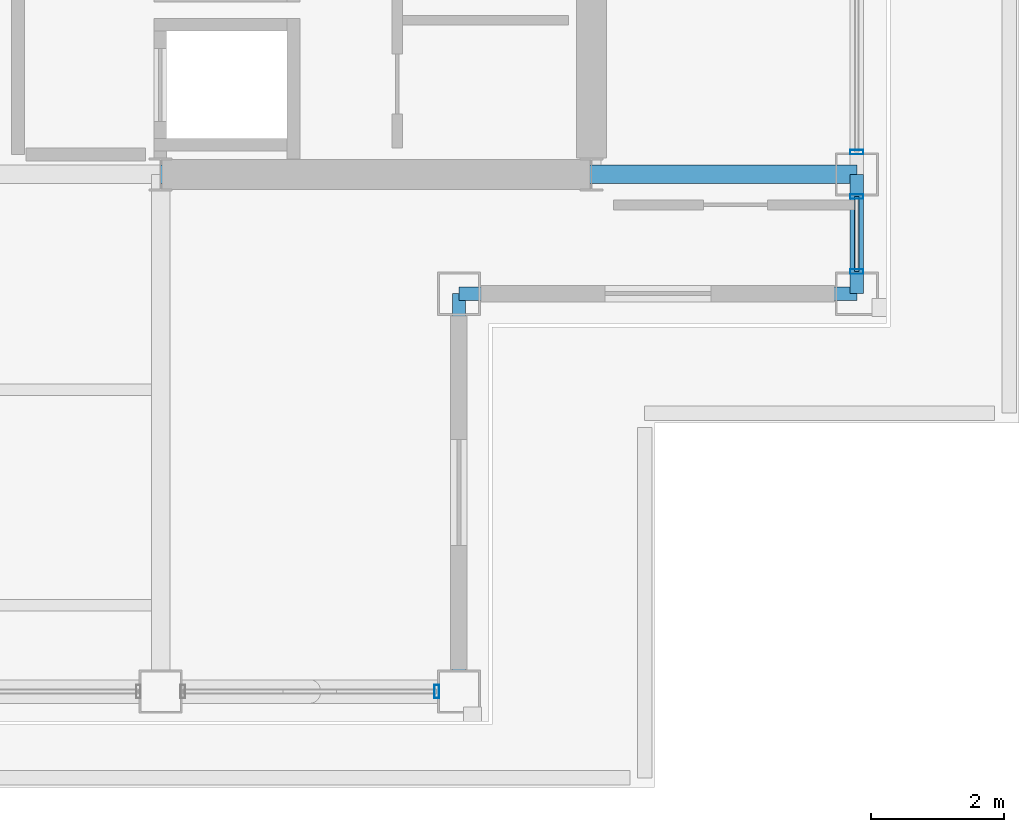
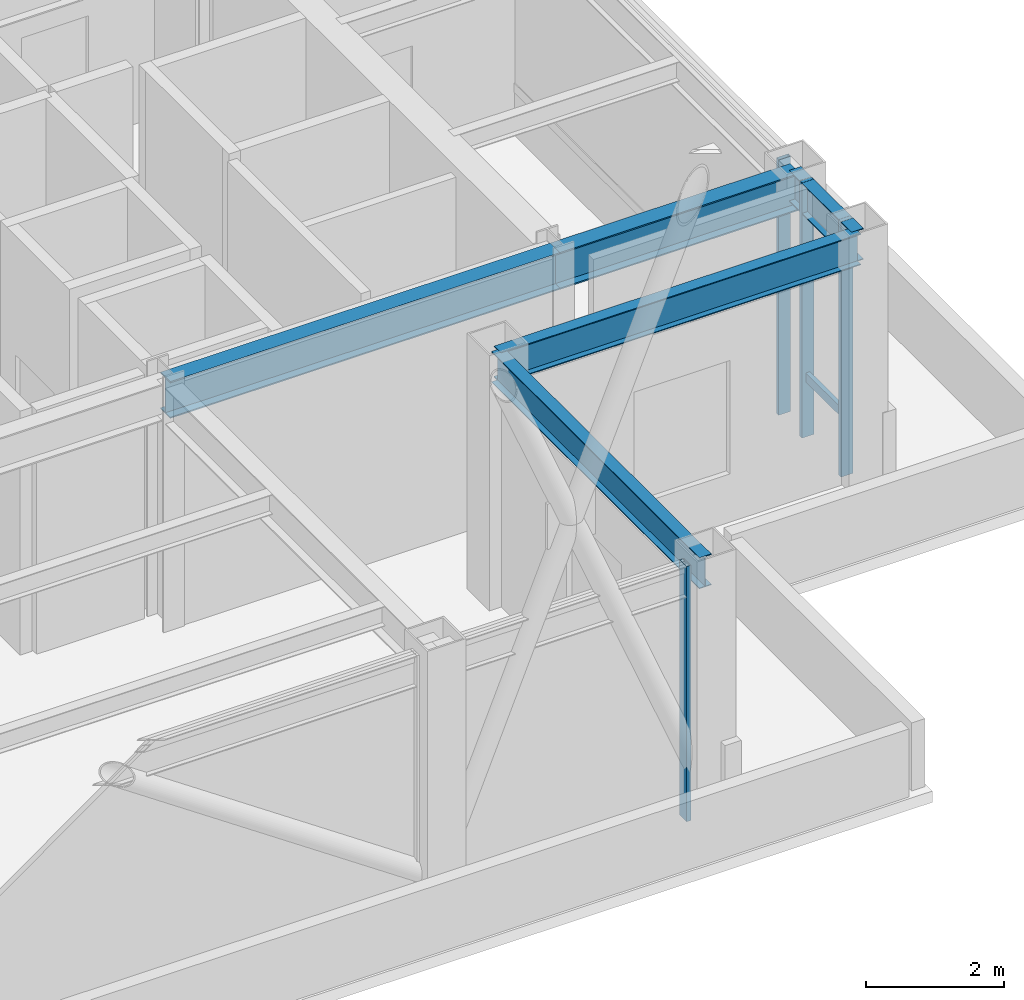
# One storey, part 8 of 19: 5 beams, 5 members, 3 elements without a shape of their own.
"""IFC4 building model written with IfcOpenShell, lengths in metres."""

from ifc_helpers import new_model, si_unit, direction, frame, origin, origin_2d, place, context, subcontext, project, spatial, hollow_rectangle, i_section, extrude, material, layer, layer_set, material_profile, profile_set, type_object, element, aggregate, save


model = new_model("IFC4")

# Units and contexts
model_context = context("Model", 3, precision=1e-05, world=origin(), true_north=direction((0.0, 1.0)))
body_context = subcontext(model_context, "Body", "Model", "MODEL_VIEW")
ifc_project = project(units=[si_unit("LENGTHUNIT", "METRE"), si_unit("AREAUNIT", "SQUARE_METRE"), si_unit("VOLUMEUNIT", "CUBIC_METRE"), si_unit("PLANEANGLEUNIT", "RADIAN"), si_unit("MASSUNIT", "GRAM", prefix="KILO")], contexts=[model_context])

# Site, building, storey
site_placement = place(None, origin())
site = spatial("IfcSite", under=ifc_project, at=site_placement, CompositionType="ELEMENT")
building_placement = place(site_placement, origin())
building = spatial("IfcBuilding", under=site, at=building_placement, Name="Brelmoor Portico Tower", CompositionType="ELEMENT")
storey_placement = place(building_placement, frame((0.0, 0.0, 213.89990234375)))
storey = spatial("IfcBuildingStorey", under=building, at=storey_placement, Name="L56", CompositionType="ELEMENT", Elevation=213.89990234375)

# Beams
ifc_material_1 = material(Name="Steel Q355B", Category="steel")
ifc_material_profile_1 = material_profile(ifc_material_1, i_section(OverallWidth=0.280029296875, OverallDepth=0.64990234375, WebThickness=0.012939453125, FlangeThickness=0.02197265625, at=origin_2d()), Name="HN 650x280x13x22")
ifc_profile_set_1 = profile_set([ifc_material_profile_1], Name="Steel Q355B")
beam_type_1 = type_object("IfcBeamType", Name="BM-PG-650", PredefinedType="BEAM", material=ifc_profile_set_1)
beam_1_placement = place(storey_placement, frame((8.050048828125, -9.75, 3.97509765625), z_axis=(1.0, 0.0, 0.0), x_axis=(0.0, 1.0, 0.0)))
element("IfcBeam", 1, at=beam_1_placement, inside=storey, type_object=beam_type_1, Name="L56 Primary Floor Girder PG-14", PredefinedType="BEAM", context=body_context, shape_type="SweptSolid", body=[
    extrude(i_section(OverallWidth=0.280029296875, OverallDepth=0.64990234375, WebThickness=0.012939453125, FlangeThickness=0.02197265625, at=origin_2d()), origin(), (0.0, 0.0, 1.0), 6.5),
])
beam_2_placement = place(storey_placement, frame((14.550048828125, -9.75, 3.97509765625), z_axis=(1.0, 0.0, 0.0), x_axis=(0.0, 1.0, 0.0)))
element("IfcBeam", 2, at=beam_2_placement, inside=storey, type_object=beam_type_1, Name="L56 Primary Floor Girder PG-15", PredefinedType="BEAM", context=body_context, shape_type="SweptSolid", body=[
    extrude(i_section(OverallWidth=0.280029296875, OverallDepth=0.64990234375, WebThickness=0.012939453125, FlangeThickness=0.02197265625, at=origin_2d()), origin(), (0.0, 0.0, 1.0), 4.0),
])
ifc_material_profile_2 = material_profile(ifc_material_1, i_section(OverallWidth=0.199951171875, OverallDepth=0.550048828125, WebThickness=0.010009765625, FlangeThickness=0.01611328125, at=origin_2d()), Name="HN 550x200x10x16")
ifc_profile_set_2 = profile_set([ifc_material_profile_2], Name="Steel Q355B")
beam_type_2 = type_object("IfcBeamType", Name="BM-SP-550", PredefinedType="SPANDREL", material=ifc_profile_set_2)
for number, where, z_axis, x_axis, name in (
    (3, (12.550048828125, -11.550048828125, 4.025146484375), (1.0, 0.0, 0.0), (0.0, 1.0, 0.0), "L56 Perimeter Spandrel Beam SP-05"),
    (4, (12.550048828125, -17.550048828125, 4.025146484375), (0.0, 1.0, 0.0), (-1.0, 0.0, 0.0), "L56 Perimeter Spandrel Beam SP-16"),
):
    element("IfcBeam", number, at=place(storey_placement, frame(where, z_axis=z_axis, x_axis=x_axis)), inside=storey, type_object=beam_type_2, Name=name, PredefinedType="SPANDREL", context=body_context, shape_type="SweptSolid", body=[
        extrude(i_section(OverallWidth=0.199951171875, OverallDepth=0.550048828125, WebThickness=0.010009765625, FlangeThickness=0.01611328125, at=origin_2d()), origin(), (0.0, 0.0, 1.0), 6.0),
    ])
beam_3_placement = place(storey_placement, frame((18.550048828125, -11.550048828125, 4.025146484375), z_axis=(0.0, 1.0, 0.0), x_axis=(-1.0, 0.0, 0.0)))
element("IfcBeam", 5, at=beam_3_placement, inside=storey, type_object=beam_type_2, Name="L56 Perimeter Spandrel Beam SP-18", PredefinedType="SPANDREL", context=body_context, shape_type="SweptSolid", body=[
    extrude(i_section(OverallWidth=0.199951171875, OverallDepth=0.550048828125, WebThickness=0.010009765625, FlangeThickness=0.01611328125, at=origin_2d()), origin(), (0.0, 0.0, 1.0), 1.800048828125),
])

# Curtain wall, member
ifc_material_2 = material(Name="Anodised Aluminium Alloy 6063-T6", Category="aluminium")
ifc_layer_1 = layer(ifc_material_2, 0.179931640625)
ifc_layer_set_1 = layer_set([ifc_layer_1], Name="Anodised Aluminium Alloy 6063-T6")
curtain_wall_type_1 = type_object("IfcCurtainWallType", Name="CW-SKYLOBBY-XB", PredefinedType="NOTDEFINED", material=ifc_layer_set_1)
curtain_wall_1_placement = place(storey_placement, origin())
curtain_wall_1 = element("IfcCurtainWall", 6, at=curtain_wall_1_placement, inside=storey, type_object=curtain_wall_type_1, Name="L56 Curtain Wall CW-L56-01-3", PredefinedType="NOTDEFINED")
ifc_material_profile_3 = material_profile(ifc_material_2, hollow_rectangle(XDim=0.070068359375, YDim=0.199951171875, WallThickness=0.00439453125, at=origin_2d()), Name="ALU MULLION 70x200")
ifc_profile_set_3 = profile_set([ifc_material_profile_3], Name="Anodised Aluminium Alloy 6063-T6")
member_type_1 = type_object("IfcMemberType", Name="MB-CW-MULL-200", PredefinedType="MULLION", material=ifc_profile_set_3)
member_1_placement = place(storey_placement, frame((12.215087890625, -17.550048828125, -0.199951171875), z_axis=(0.0, 0.0, 1.0), x_axis=(1.0, 0.0, 0.0)))
member_1 = element("IfcMember", 7, at=member_1_placement, type_object=member_type_1, Name="CW-L56-01-3 Mullion 01", PredefinedType="MULLION", context=body_context, shape_type="SweptSolid", body=[
    extrude(hollow_rectangle(XDim=0.070068359375, YDim=0.199951171875, WallThickness=0.00439453125, at=origin_2d()), origin(), (0.0, 0.0, 1.0), 4.5),
])
aggregate(curtain_wall_1, [member_1])

# Curtain wall, members
ifc_layer_2 = layer(ifc_material_2, 0.179931640625)
ifc_layer_set_2 = layer_set([ifc_layer_2], Name="Anodised Aluminium Alloy 6063-T6")
curtain_wall_type_2 = type_object("IfcCurtainWallType", Name="CW-SKYLOBBY", PredefinedType="NOTDEFINED", material=ifc_layer_set_2)
curtain_wall_2_placement = place(storey_placement, origin())
curtain_wall_2 = element("IfcCurtainWall", 8, at=curtain_wall_2_placement, inside=storey, type_object=curtain_wall_type_2, Name="L56 Curtain Wall CW-L56-04-1", PredefinedType="NOTDEFINED")
member_2_placement = place(storey_placement, frame((18.550048828125, -11.215087890625, -0.199951171875), z_axis=(0.0, 0.0, 1.0), x_axis=(0.0, 1.0, 0.0)))
member_2 = element("IfcMember", 9, at=member_2_placement, type_object=member_type_1, Name="CW-L56-04-1 Mullion 00", PredefinedType="MULLION", context=body_context, shape_type="SweptSolid", body=[
    extrude(hollow_rectangle(XDim=0.070068359375, YDim=0.199951171875, WallThickness=0.00439453125, at=origin_2d()), origin(), (0.0, 0.0, 1.0), 4.5),
])
member_3_placement = place(storey_placement, frame((18.550048828125, -10.0849609375, -0.199951171875), z_axis=(0.0, 0.0, 1.0), x_axis=(0.0, 1.0, 0.0)))
member_3 = element("IfcMember", 10, at=member_3_placement, type_object=member_type_1, Name="CW-L56-04-1 Mullion 01", PredefinedType="MULLION", context=body_context, shape_type="SweptSolid", body=[
    extrude(hollow_rectangle(XDim=0.070068359375, YDim=0.199951171875, WallThickness=0.00439453125, at=origin_2d()), origin(), (0.0, 0.0, 1.0), 4.5),
])

# Curtain wall, member
curtain_wall_3_placement = place(storey_placement, origin())
curtain_wall_3 = element("IfcCurtainWall", 11, at=curtain_wall_3_placement, inside=storey, type_object=curtain_wall_type_2, Name="L56 Curtain Wall CW-L56-04-2", PredefinedType="NOTDEFINED")
member_4_placement = place(storey_placement, frame((18.550048828125, -9.4150390625, -0.199951171875), z_axis=(0.0, 0.0, 1.0), x_axis=(0.0, 1.0, 0.0)))
member_4 = element("IfcMember", 12, at=member_4_placement, type_object=member_type_1, Name="CW-L56-04-2 Mullion 00", PredefinedType="MULLION", context=body_context, shape_type="SweptSolid", body=[
    extrude(hollow_rectangle(XDim=0.070068359375, YDim=0.199951171875, WallThickness=0.00439453125, at=origin_2d()), origin(), (0.0, 0.0, 1.0), 4.5),
])
aggregate(curtain_wall_3, [member_4])

# Member
ifc_material_profile_4 = material_profile(ifc_material_2, hollow_rectangle(XDim=0.070068359375, YDim=0.159912109375, WallThickness=0.00390625, at=origin_2d()), Name="ALU TRANSOM 70x160")
ifc_profile_set_4 = profile_set([ifc_material_profile_4], Name="Anodised Aluminium Alloy 6063-T6")
member_type_2 = type_object("IfcMemberType", Name="MB-CW-TRAN-160", PredefinedType="USERDEFINED", material=ifc_profile_set_4)
member_5_placement = place(storey_placement, frame((18.550048828125, -11.215087890625, 0.85009765625), z_axis=(0.0, 1.0, 0.0), x_axis=(-1.0, 0.0, 0.0)))
member_5 = element("IfcMember", 13, at=member_5_placement, type_object=member_type_2, Name="CW-L56-04-1 Transom 1-00", ObjectType="TRANSOM", PredefinedType="USERDEFINED", context=body_context, shape_type="SweptSolid", body=[
    extrude(hollow_rectangle(XDim=0.070068359375, YDim=0.159912109375, WallThickness=0.00390625, at=origin_2d()), origin(), (0.0, 0.0, 1.0), 1.130126953125),
])

aggregate(curtain_wall_2, [member_2, member_3, member_5])

save(model, "model.ifc")
